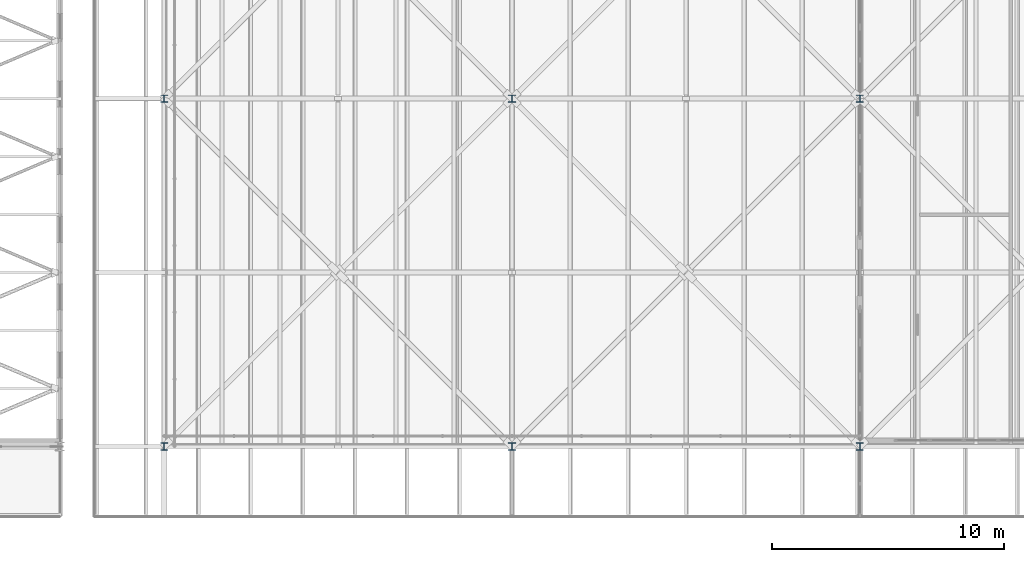
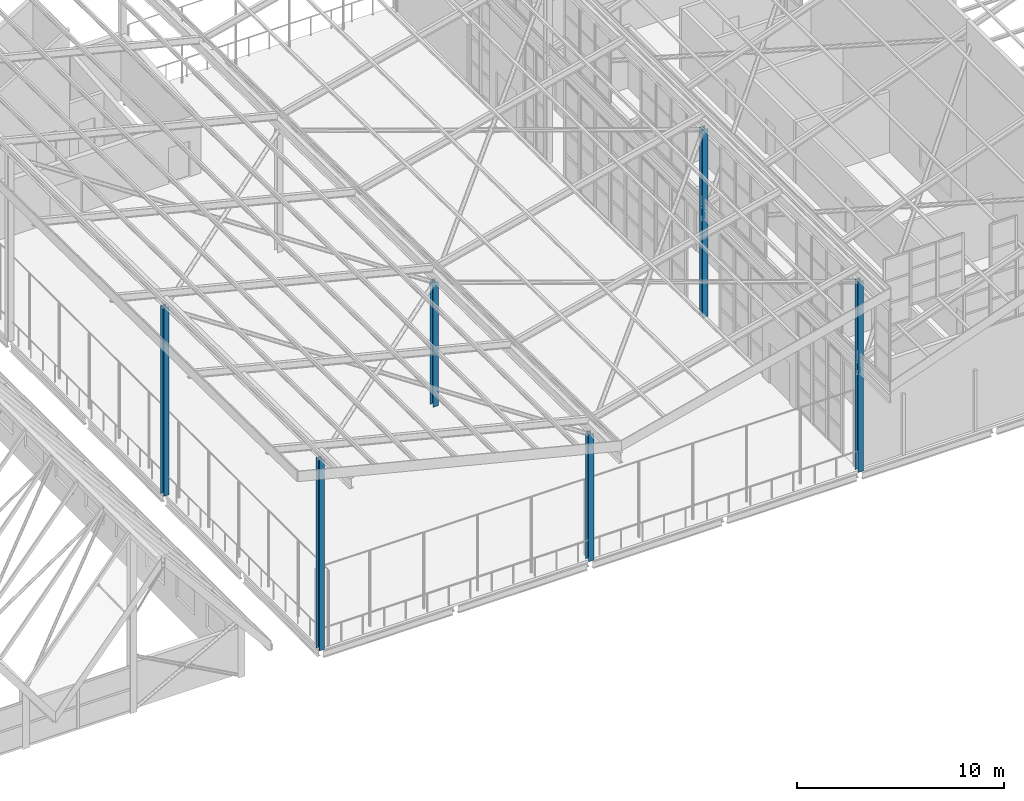
# One storey, part 5 of 483: 6 columns.
"""IFC4 building model written with IfcOpenShell, lengths in metres."""

from ifc_helpers import new_model, si_unit, direction, frame, origin, origin_2d, place, context, subcontext, project, spatial, i_section, extrude, material, material_profile, profile_set, type_object, element, save


model = new_model("IFC4")

# Units and contexts
model_context = context("Model", 3, precision=1e-05, world=origin(), true_north=direction((0.0, 1.0)))
body_context = subcontext(model_context, "Body", "Model", "MODEL_VIEW")
ifc_project = project(units=[si_unit("LENGTHUNIT", "METRE"), si_unit("AREAUNIT", "SQUARE_METRE"), si_unit("VOLUMEUNIT", "CUBIC_METRE"), si_unit("PLANEANGLEUNIT", "RADIAN"), si_unit("MASSUNIT", "GRAM", prefix="KILO")], contexts=[model_context])

# Site, building, storey
site_placement = place(None, origin())
site = spatial("IfcSite", under=ifc_project, at=site_placement, CompositionType="ELEMENT")
building_placement = place(site_placement, origin())
building = spatial("IfcBuilding", under=site, at=building_placement, Name="Parallax Yard Mobility Hub", CompositionType="ELEMENT")
storey_placement = place(building_placement, frame((0.0, 0.0, 13.199951171875)))
storey = spatial("IfcBuildingStorey", under=building, at=storey_placement, Name="L04", CompositionType="ELEMENT", Elevation=13.199951171875)

# Columns
ifc_material = material(Name="Steel ASTM A992", Category="steel")
ifc_material_profile = material_profile(ifc_material, i_section(OverallWidth=0.304931640625, OverallDepth=0.306884765625, WebThickness=0.010009765625, FlangeThickness=0.015380859375, FilletRadius=0.01513671875, at=origin_2d()), Name="W310x97")
ifc_profile_set = profile_set([ifc_material_profile], Name="Steel ASTM A992")
column_type = type_object("IfcColumnType", Name="W310x97 column", PredefinedType="COLUMN", material=ifc_profile_set)
column_1_placement = place(storey_placement, frame((97.5, 7.5, 0.0), z_axis=(0.0, 0.0, 1.0), x_axis=(1.0, 0.0, 0.0)))
element("IfcColumn", 1, at=column_1_placement, inside=storey, type_object=column_type, Name="Roof column B/14 level L04", PredefinedType="COLUMN", context=body_context, shape_type="SweptSolid", body=[
    extrude(i_section(OverallWidth=0.304931640625, OverallDepth=0.306884765625, WebThickness=0.010009765625, FlangeThickness=0.015380859375, FilletRadius=0.01513671875, at=origin_2d()), origin(), (0.0, 0.0, 1.0), 11.219970703125),
])
column_2_placement = place(storey_placement, frame((97.5, 22.5, 0.0), z_axis=(0.0, 0.0, 1.0), x_axis=(1.0, 0.0, 0.0)))
element("IfcColumn", 2, at=column_2_placement, inside=storey, type_object=column_type, Name="Roof column D/14 level L04", PredefinedType="COLUMN", context=body_context, shape_type="SweptSolid", body=[
    extrude(i_section(OverallWidth=0.304931640625, OverallDepth=0.306884765625, WebThickness=0.010009765625, FlangeThickness=0.015380859375, FilletRadius=0.01513671875, at=origin_2d()), origin(), (0.0, 0.0, 1.0), 11.070068359375),
])
column_3_placement = place(storey_placement, frame((112.5, 7.5, 0.0), z_axis=(0.0, 0.0, 1.0), x_axis=(1.0, 0.0, 0.0)))
element("IfcColumn", 3, at=column_3_placement, inside=storey, type_object=column_type, Name="Roof column B/16 level L04", PredefinedType="COLUMN", context=body_context, shape_type="SweptSolid", body=[
    extrude(i_section(OverallWidth=0.304931640625, OverallDepth=0.306884765625, WebThickness=0.010009765625, FlangeThickness=0.015380859375, FilletRadius=0.01513671875, at=origin_2d()), origin(), (0.0, 0.0, 1.0), 7.469970703125),
])
column_4_placement = place(storey_placement, frame((112.5, 22.5, 0.0), z_axis=(0.0, 0.0, 1.0), x_axis=(1.0, 0.0, 0.0)))
element("IfcColumn", 4, at=column_4_placement, inside=storey, type_object=column_type, Name="Roof column D/16 level L04", PredefinedType="COLUMN", context=body_context, shape_type="SweptSolid", body=[
    extrude(i_section(OverallWidth=0.304931640625, OverallDepth=0.306884765625, WebThickness=0.010009765625, FlangeThickness=0.015380859375, FilletRadius=0.01513671875, at=origin_2d()), origin(), (0.0, 0.0, 1.0), 7.320068359375),
])
column_5_placement = place(storey_placement, frame((127.5, 7.5, 0.0), z_axis=(0.0, 0.0, 1.0), x_axis=(1.0, 0.0, 0.0)))
element("IfcColumn", 5, at=column_5_placement, inside=storey, type_object=column_type, Name="Roof column B/18 level L04", PredefinedType="COLUMN", context=body_context, shape_type="SweptSolid", body=[
    extrude(i_section(OverallWidth=0.304931640625, OverallDepth=0.306884765625, WebThickness=0.010009765625, FlangeThickness=0.015380859375, FilletRadius=0.01513671875, at=origin_2d()), origin(), (0.0, 0.0, 1.0), 11.219970703125),
])
column_6_placement = place(storey_placement, frame((127.5, 22.5, 0.0), z_axis=(0.0, 0.0, 1.0), x_axis=(1.0, 0.0, 0.0)))
element("IfcColumn", 6, at=column_6_placement, inside=storey, type_object=column_type, Name="Roof column D/18 level L04", PredefinedType="COLUMN", context=body_context, shape_type="SweptSolid", body=[
    extrude(i_section(OverallWidth=0.304931640625, OverallDepth=0.306884765625, WebThickness=0.010009765625, FlangeThickness=0.015380859375, FilletRadius=0.01513671875, at=origin_2d()), origin(), (0.0, 0.0, 1.0), 11.070068359375),
])

save(model, "model.ifc")
